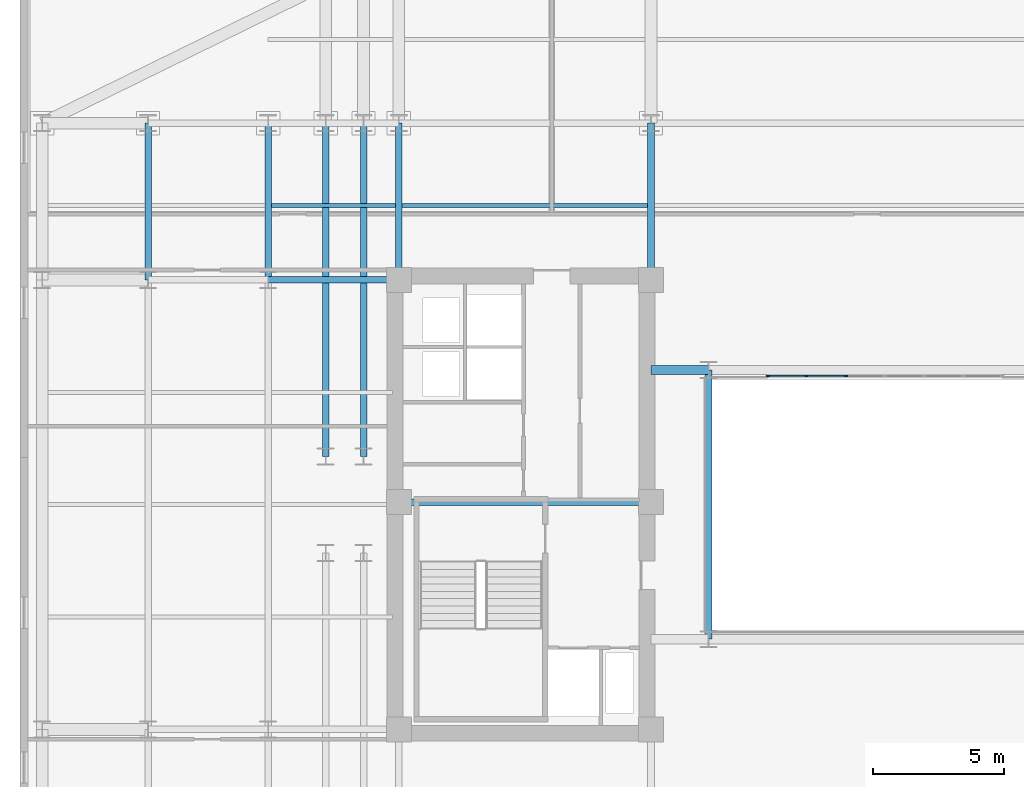
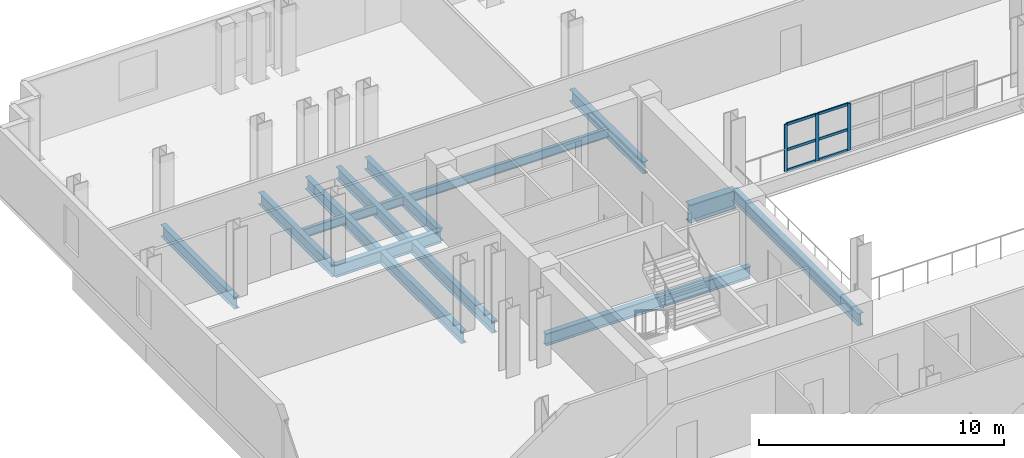
# One storey, part 2 of 12: 12 beams, 9 members, 1 element without a shape of its own.
"""IFC4 building model written with IfcOpenShell, lengths in metres."""

from ifc_helpers import new_model, si_unit, direction, frame, origin, origin_2d, place, context, subcontext, project, spatial, rectangle, i_section, extrude, material, layer, layer_set, material_profile, profile_set, type_object, element, aggregate, save


model = new_model("IFC4")

# Units and contexts
model_context = context("Model", 3, precision=1e-05, world=origin(), true_north=direction((0.0, 1.0)))
body_context = subcontext(model_context, "Body", "Model", "MODEL_VIEW")
ifc_project = project(units=[si_unit("LENGTHUNIT", "METRE"), si_unit("AREAUNIT", "SQUARE_METRE"), si_unit("VOLUMEUNIT", "CUBIC_METRE"), si_unit("PLANEANGLEUNIT", "RADIAN"), si_unit("MASSUNIT", "GRAM", prefix="KILO")], contexts=[model_context])

# Site, building, storey
site_placement = place(None, origin())
site = spatial("IfcSite", under=ifc_project, at=site_placement, CompositionType="ELEMENT")
building_placement = place(site_placement, origin())
building = spatial("IfcBuilding", under=site, at=building_placement, Name="Velakula Bourse", CompositionType="ELEMENT")
storey_placement = place(building_placement, frame((0.0, 0.0, 120.85009765625)))
storey = spatial("IfcBuildingStorey", under=building, at=storey_placement, Name="L32", CompositionType="ELEMENT", Elevation=120.85009765625)

# Beams
ifc_material_1 = material(Name="Steel IS 2062 Grade 350 (E350)", Category="steel")
ifc_material_profile_1 = material_profile(ifc_material_1, i_section(OverallWidth=0.25, OverallDepth=0.60009765625, WebThickness=0.01123046875, FlangeThickness=0.021240234375, at=origin_2d()), Name="Steel IS 2062 Grade 350 (E350)")
ifc_profile_set_1 = profile_set([ifc_material_profile_1], Name="Steel IS 2062 Grade 350 (E350)")
beam_type_1 = type_object("IfcBeamType", Name="BM-GRD-600M", PredefinedType="BEAM", material=ifc_profile_set_1)
beam_1_placement = place(storey_placement, frame((-18.60009765625, 0.10009765625, -0.47998046875), z_axis=(1.0, 0.0, 0.0), x_axis=(0.0, 1.0, 0.0)))
element("IfcBeam", 1, at=beam_1_placement, inside=storey, type_object=beam_type_1, Name="L32 Primary Backbone Girder CRW-M", PredefinedType="BEAM", context=body_context, shape_type="SweptSolid", body=[
    extrude(i_section(OverallWidth=0.25, OverallDepth=0.60009765625, WebThickness=0.01123046875, FlangeThickness=0.021240234375, at=origin_2d()), origin(), (0.0, 0.0, 1.0), 9.650146484375),
])
beam_2_placement = place(storey_placement, frame((-6.75, -5.14990234375, -0.47998046875), z_axis=(0.0, 1.0, 0.0), x_axis=(-1.0, 0.0, 0.0)))
element("IfcBeam", 2, at=beam_2_placement, inside=storey, type_object=beam_type_1, Name="L32 Primary Backbone Girder SPN-W", PredefinedType="BEAM", context=body_context, shape_type="SweptSolid", body=[
    extrude(i_section(OverallWidth=0.25, OverallDepth=0.60009765625, WebThickness=0.01123046875, FlangeThickness=0.021240234375, at=origin_2d()), origin(), (0.0, 0.0, 1.0), 10.2998046875),
])
for number, where, z_axis, x_axis, name in (
    (3, (-18.60009765625, 8.60009765625, -0.47998046875), (0.0, 1.0, 0.0), (-1.0, 0.0, 0.0), "L32 Fulcrum Grid Girder FLC-WN"),
    (4, (-8.949951171875, 8.60009765625, -0.47998046875), (0.0, 1.0, 0.0), (-1.0, 0.0, 0.0), "L32 Fulcrum Grid Girder FLC-WCN"),
):
    element("IfcBeam", number, at=place(storey_placement, frame(where, z_axis=z_axis, x_axis=x_axis)), inside=storey, type_object=beam_type_1, Name=name, PredefinedType="BEAM", context=body_context, shape_type="SweptSolid", body=[
        extrude(i_section(OverallWidth=0.25, OverallDepth=0.60009765625, WebThickness=0.01123046875, FlangeThickness=0.021240234375, at=origin_2d()), origin(), (0.0, 0.0, 1.0), 6.0),
    ])
for number, where, z_axis, x_axis, name in (
    (5, (-21.39990234375, 1.85009765625, -0.47998046875), (0.0, 1.0, 0.0), (-1.0, 0.0, 0.0), "L32 Fulcrum Grid Girder FLC-PNW1"),
    (6, (-19.949951171875, 1.85009765625, -0.47998046875), (0.0, 1.0, 0.0), (-1.0, 0.0, 0.0), "L32 Fulcrum Grid Girder FLC-PNW2"),
):
    element("IfcBeam", number, at=place(storey_placement, frame(where, z_axis=z_axis, x_axis=x_axis)), inside=storey, type_object=beam_type_1, Name=name, PredefinedType="BEAM", context=body_context, shape_type="SweptSolid", body=[
        extrude(i_section(OverallWidth=0.25, OverallDepth=0.60009765625, WebThickness=0.01123046875, FlangeThickness=0.021240234375, at=origin_2d()), origin(), (0.0, 0.0, 1.0), 12.75),
    ])
beam_3_placement = place(storey_placement, frame((-23.60009765625, 8.60009765625, -0.47998046875), z_axis=(1.0, 0.0, 0.0), x_axis=(0.0, 1.0, 0.0)))
element("IfcBeam", 7, at=beam_3_placement, inside=storey, type_object=beam_type_1, Name="L32 Fulcrum Grid Girder MWG-WN1", PredefinedType="BEAM", context=body_context, shape_type="SweptSolid", body=[
    extrude(i_section(OverallWidth=0.25, OverallDepth=0.60009765625, WebThickness=0.01123046875, FlangeThickness=0.021240234375, at=origin_2d()), origin(), (0.0, 0.0, 1.0), 5.0),
])
for number, where, z_axis, x_axis, name in (
    (8, (-23.60009765625, 8.60009765625, -0.47998046875), (0.0, 1.0, 0.0), (-1.0, 0.0, 0.0), "L32 Fulcrum Grid Girder MWG-WNS3"),
    (9, (-28.199951171875, 8.60009765625, -0.47998046875), (0.0, 1.0, 0.0), (-1.0, 0.0, 0.0), "L32 Fulcrum Grid Girder WNG-WNS3"),
):
    element("IfcBeam", number, at=place(storey_placement, frame(where, z_axis=z_axis, x_axis=x_axis)), inside=storey, type_object=beam_type_1, Name=name, PredefinedType="BEAM", context=body_context, shape_type="SweptSolid", body=[
        extrude(i_section(OverallWidth=0.25, OverallDepth=0.60009765625, WebThickness=0.01123046875, FlangeThickness=0.021240234375, at=origin_2d()), origin(), (0.0, 0.0, 1.0), 6.0),
    ])
ifc_material_profile_2 = material_profile(ifc_material_1, i_section(OverallWidth=0.35009765625, OverallDepth=0.89990234375, WebThickness=0.02001953125, FlangeThickness=0.031982421875, at=origin_2d()), Name="Steel IS 2062 Grade 350 (E350)")
ifc_profile_set_2 = profile_set([ifc_material_profile_2], Name="Steel IS 2062 Grade 350 (E350)")
beam_type_2 = type_object("IfcBeamType", Name="BM-LNK-900", PredefinedType="BEAM", material=ifc_profile_set_2)
beam_4_placement = place(storey_placement, frame((-8.949951171875, 5.14990234375, -0.630126953125), z_axis=(1.0, 0.0, 0.0), x_axis=(0.0, 1.0, 0.0)))
element("IfcBeam", 10, at=beam_4_placement, inside=storey, type_object=beam_type_2, Name="L32 Primary Backbone Girder LNK-N1", PredefinedType="BEAM", context=body_context, shape_type="SweptSolid", body=[
    extrude(i_section(OverallWidth=0.35009765625, OverallDepth=0.89990234375, WebThickness=0.02001953125, FlangeThickness=0.031982421875, at=origin_2d()), origin(), (0.0, 0.0, 1.0), 2.199951171875),
])
ifc_material_profile_3 = material_profile(ifc_material_1, i_section(OverallWidth=0.14990234375, OverallDepth=0.449951171875, WebThickness=0.009521484375, FlangeThickness=0.017333984375, at=origin_2d()), Name="Steel IS 2062 Grade 350 (E350)")
ifc_profile_set_3 = profile_set([ifc_material_profile_3], Name="Steel IS 2062 Grade 350 (E350)")
beam_type_3 = type_object("IfcBeamType", Name="JST-TWR-450", PredefinedType="JOIST", material=ifc_profile_set_3)
beam_5_placement = place(storey_placement, frame((-23.47509765625, 11.449951171875, -0.405029296875), z_axis=(1.0, 0.0, 0.0), x_axis=(0.0, 1.0, 0.0)))
element("IfcBeam", 11, at=beam_5_placement, inside=storey, type_object=beam_type_3, Name="L32 Trading Floor Composite Joist 11", PredefinedType="JOIST", context=body_context, shape_type="SweptSolid", body=[
    extrude(i_section(OverallWidth=0.14990234375, OverallDepth=0.449951171875, WebThickness=0.009521484375, FlangeThickness=0.017333984375, at=origin_2d()), origin(), (0.0, 0.0, 1.0), 4.75),
])
beam_6_placement = place(storey_placement, frame((-18.47509765625, 11.449951171875, -0.405029296875), z_axis=(1.0, 0.0, 0.0), x_axis=(0.0, 1.0, 0.0)))
element("IfcBeam", 12, at=beam_6_placement, inside=storey, type_object=beam_type_3, Name="L32 Trading Floor Composite Joist 12", PredefinedType="JOIST", context=body_context, shape_type="SweptSolid", body=[
    extrude(i_section(OverallWidth=0.14990234375, OverallDepth=0.449951171875, WebThickness=0.009521484375, FlangeThickness=0.017333984375, at=origin_2d()), origin(), (0.0, 0.0, 1.0), 9.400146484375),
])

# Curtain wall, members
ifc_material_2 = material(Name="Anodised bronze architectural aluminium", Category="aluminium")
ifc_layer = layer(ifc_material_2, 0.14990234375, Name="Anodised bronze architectural aluminium", Category="aluminium")
ifc_layer_set = layer_set([ifc_layer], Name="Anodised bronze architectural aluminium")
curtain_wall_type = type_object("IfcCurtainWallType", Name="CW-AT1", PredefinedType="NOTDEFINED", material=ifc_layer_set)
curtain_wall_placement = place(storey_placement, origin())
curtain_wall = element("IfcCurtainWall", 13, at=curtain_wall_placement, inside=storey, type_object=curtain_wall_type, Name="L32 Central Trading Atrium Fire-Rated Glazed Screen", PredefinedType="NOTDEFINED")
ifc_material_profile_4 = material_profile(ifc_material_2, rectangle(XDim=0.06005859375, YDim=0.14990234375, at=origin_2d()), Name="Anodised bronze architectural aluminium")
ifc_profile_set_4 = profile_set([ifc_material_profile_4], Name="Anodised bronze architectural aluminium")
member_type_1 = type_object("IfcMemberType", Name="MUL-CW-AT1", PredefinedType="MULLION", material=ifc_profile_set_4)
member_1_placement = place(storey_placement, frame((-4.469970703125, 4.919921875, 0.0), z_axis=(0.0, 0.0, 1.0), x_axis=(0.0, 1.0, 0.0)))
member_1 = element("IfcMember", 14, at=member_1_placement, type_object=member_type_1, Name="CW-AT1 mullion 1", PredefinedType="MULLION", context=body_context, shape_type="SweptSolid", body=[
    extrude(rectangle(XDim=0.06005859375, YDim=0.14990234375, at=origin_2d()), origin(), (0.0, 0.0, 1.0), 2.344970703125),
])
member_2_placement = place(storey_placement, frame((-3.0, 4.919921875, 0.0), z_axis=(0.0, 0.0, 1.0), x_axis=(0.0, 1.0, 0.0)))
member_2 = element("IfcMember", 15, at=member_2_placement, type_object=member_type_1, Name="CW-AT1 mullion 2", PredefinedType="MULLION", context=body_context, shape_type="SweptSolid", body=[
    extrude(rectangle(XDim=0.06005859375, YDim=0.14990234375, at=origin_2d()), origin(), (0.0, 0.0, 1.0), 2.344970703125),
])
member_3_placement = place(storey_placement, frame((-1.5, 4.919921875, 0.0), z_axis=(0.0, 0.0, 1.0), x_axis=(0.0, 1.0, 0.0)))
member_3 = element("IfcMember", 16, at=member_3_placement, type_object=member_type_1, Name="CW-AT1 mullion 3", PredefinedType="MULLION", context=body_context, shape_type="SweptSolid", body=[
    extrude(rectangle(XDim=0.06005859375, YDim=0.14990234375, at=origin_2d()), origin(), (0.0, 0.0, 1.0), 2.344970703125),
])
ifc_material_profile_5 = material_profile(ifc_material_2, rectangle(XDim=0.06005859375, YDim=0.1298828125, at=origin_2d()), Name="Anodised bronze architectural aluminium")
ifc_profile_set_5 = profile_set([ifc_material_profile_5], Name="Anodised bronze architectural aluminium")
member_type_2 = type_object("IfcMemberType", Name="TRN-CW-AT1", PredefinedType="USERDEFINED", material=ifc_profile_set_5)
member_4_placement = place(storey_placement, frame((-4.43994140625, 4.919921875, 0.02978515625), z_axis=(1.0, 0.0, 0.0), x_axis=(0.0, 1.0, 0.0)))
member_4 = element("IfcMember", 17, at=member_4_placement, type_object=member_type_2, Name="CW-AT1 transom 1.1", ObjectType="TRANSOM", PredefinedType="USERDEFINED", context=body_context, shape_type="SweptSolid", body=[
    extrude(rectangle(XDim=0.06005859375, YDim=0.1298828125, at=origin_2d()), origin(), (0.0, 0.0, 1.0), 1.409912109375),
])
member_5_placement = place(storey_placement, frame((-4.43994140625, 4.919921875, 1.05517578125), z_axis=(1.0, 0.0, 0.0), x_axis=(0.0, 1.0, 0.0)))
member_5 = element("IfcMember", 18, at=member_5_placement, type_object=member_type_2, Name="CW-AT1 transom 1.2", ObjectType="TRANSOM", PredefinedType="USERDEFINED", context=body_context, shape_type="SweptSolid", body=[
    extrude(rectangle(XDim=0.06005859375, YDim=0.1298828125, at=origin_2d()), origin(), (0.0, 0.0, 1.0), 1.409912109375),
])
member_6_placement = place(storey_placement, frame((-4.43994140625, 4.919921875, 2.31494140625), z_axis=(1.0, 0.0, 0.0), x_axis=(0.0, 1.0, 0.0)))
member_6 = element("IfcMember", 19, at=member_6_placement, type_object=member_type_2, Name="CW-AT1 transom 1.3", ObjectType="TRANSOM", PredefinedType="USERDEFINED", context=body_context, shape_type="SweptSolid", body=[
    extrude(rectangle(XDim=0.06005859375, YDim=0.1298828125, at=origin_2d()), origin(), (0.0, 0.0, 1.0), 1.409912109375),
])
member_7_placement = place(storey_placement, frame((-2.969970703125, 4.919921875, 0.02978515625), z_axis=(1.0, 0.0, 0.0), x_axis=(0.0, 1.0, 0.0)))
member_7 = element("IfcMember", 20, at=member_7_placement, type_object=member_type_2, Name="CW-AT1 transom 2.1", ObjectType="TRANSOM", PredefinedType="USERDEFINED", context=body_context, shape_type="SweptSolid", body=[
    extrude(rectangle(XDim=0.06005859375, YDim=0.1298828125, at=origin_2d()), origin(), (0.0, 0.0, 1.0), 1.43994140625),
])
member_8_placement = place(storey_placement, frame((-2.969970703125, 4.919921875, 1.05517578125), z_axis=(1.0, 0.0, 0.0), x_axis=(0.0, 1.0, 0.0)))
member_8 = element("IfcMember", 21, at=member_8_placement, type_object=member_type_2, Name="CW-AT1 transom 2.2", ObjectType="TRANSOM", PredefinedType="USERDEFINED", context=body_context, shape_type="SweptSolid", body=[
    extrude(rectangle(XDim=0.06005859375, YDim=0.1298828125, at=origin_2d()), origin(), (0.0, 0.0, 1.0), 1.43994140625),
])
member_9_placement = place(storey_placement, frame((-2.969970703125, 4.919921875, 2.31494140625), z_axis=(1.0, 0.0, 0.0), x_axis=(0.0, 1.0, 0.0)))
member_9 = element("IfcMember", 22, at=member_9_placement, type_object=member_type_2, Name="CW-AT1 transom 2.3", ObjectType="TRANSOM", PredefinedType="USERDEFINED", context=body_context, shape_type="SweptSolid", body=[
    extrude(rectangle(XDim=0.06005859375, YDim=0.1298828125, at=origin_2d()), origin(), (0.0, 0.0, 1.0), 1.43994140625),
])
aggregate(curtain_wall, [member_1, member_2, member_3, member_4, member_5, member_6, member_7, member_8, member_9])

save(model, "model.ifc")
